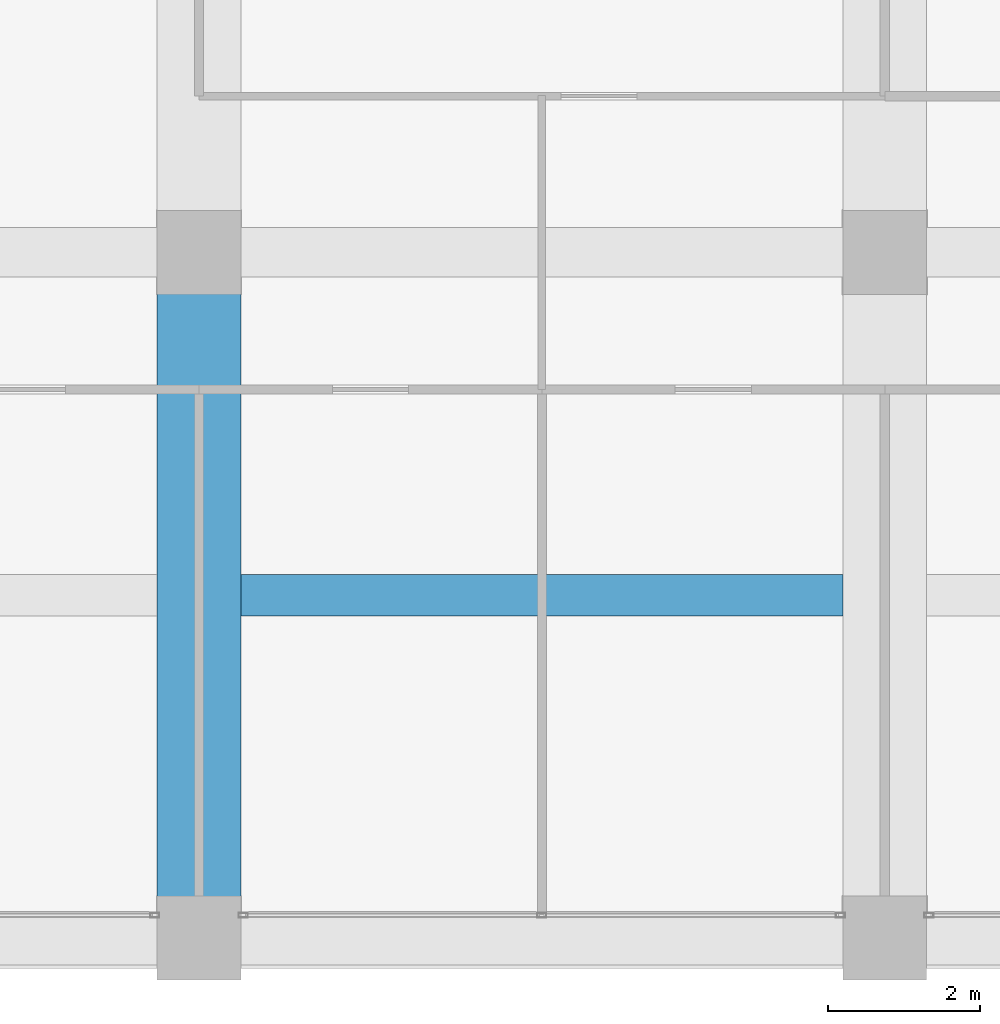
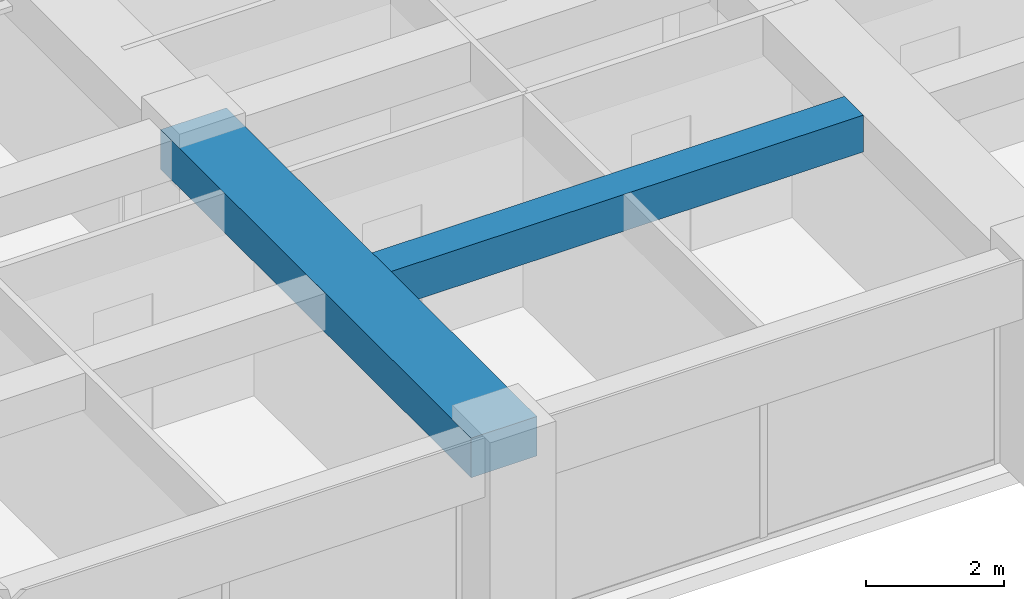
# One storey, part 10 of 44: 2 beams.
"""IFC4 building model written with IfcOpenShell, lengths in metres."""

from ifc_helpers import new_model, si_unit, direction, frame, origin, origin_2d, place, context, subcontext, project, spatial, rectangle, extrude, material, material_profile, profile_set, type_object, element, save


model = new_model("IFC4")

# Units and contexts
model_context = context("Model", 3, precision=1e-05, world=origin(), true_north=direction((0.0, 1.0)))
body_context = subcontext(model_context, "Body", "Model", "MODEL_VIEW")
ifc_project = project(units=[si_unit("LENGTHUNIT", "METRE"), si_unit("AREAUNIT", "SQUARE_METRE"), si_unit("VOLUMEUNIT", "CUBIC_METRE"), si_unit("PLANEANGLEUNIT", "RADIAN"), si_unit("MASSUNIT", "GRAM", prefix="KILO")], contexts=[model_context])

# Site, building, storey
site_placement = place(None, origin())
site = spatial("IfcSite", under=ifc_project, at=site_placement, CompositionType="ELEMENT")
building_placement = place(site_placement, origin())
building = spatial("IfcBuilding", under=site, at=building_placement, Name="Zorevar Civic Tower", CompositionType="ELEMENT")
storey_placement = place(building_placement, frame((0.0, 0.0, 283.39990234375)))
storey = spatial("IfcBuildingStorey", under=building, at=storey_placement, Name="L69", CompositionType="ELEMENT", Elevation=283.39990234375)

# Beams
ifc_material_1 = material(Name="Concrete C50/60", Category="concrete")
ifc_material_profile_1 = material_profile(ifc_material_1, rectangle(XDim=1.10009765625, YDim=0.699951171875, at=origin_2d()), Name="RC 1100x700")
ifc_profile_set_1 = profile_set([ifc_material_profile_1], Name="Concrete C50/60")
beam_type_1 = type_object("IfcBeamType", Name="Beam RC 1100x700", PredefinedType="BEAM", material=ifc_profile_set_1)
beam_1_placement = place(storey_placement, frame((27.0, 0.0, 3.400146484375), z_axis=(0.0, 1.0, 0.0), x_axis=(-1.0, 0.0, 0.0)))
element("IfcBeam", 1, at=beam_1_placement, inside=storey, type_object=beam_type_1, Name="Girder L70", PredefinedType="BEAM", context=body_context, shape_type="SweptSolid", body=[
    extrude(rectangle(XDim=1.10009765625, YDim=0.699951171875, at=origin_2d()), origin(), (0.0, 0.0, 1.0), 9.0),
])
ifc_material_2 = material(Name="Concrete C50/60", Category="concrete")
ifc_material_profile_2 = material_profile(ifc_material_2, rectangle(XDim=0.550048828125, YDim=0.64990234375, at=origin_2d()), Name="RC 550x650")
ifc_profile_set_2 = profile_set([ifc_material_profile_2], Name="Concrete C50/60")
beam_type_2 = type_object("IfcBeamType", Name="Beam RC 550x650", PredefinedType="BEAM", material=ifc_profile_set_2)
beam_2_placement = place(storey_placement, frame((27.550048828125, 4.5, 3.425048828125), z_axis=(1.0, 0.0, 0.0), x_axis=(0.0, 1.0, 0.0)))
element("IfcBeam", 2, at=beam_2_placement, inside=storey, type_object=beam_type_2, Name="Secondary beam L70", PredefinedType="BEAM", context=body_context, shape_type="SweptSolid", body=[
    extrude(rectangle(XDim=0.550048828125, YDim=0.64990234375, at=origin_2d()), origin(), (0.0, 0.0, 1.0), 7.89990234375),
])

save(model, "model.ifc")
